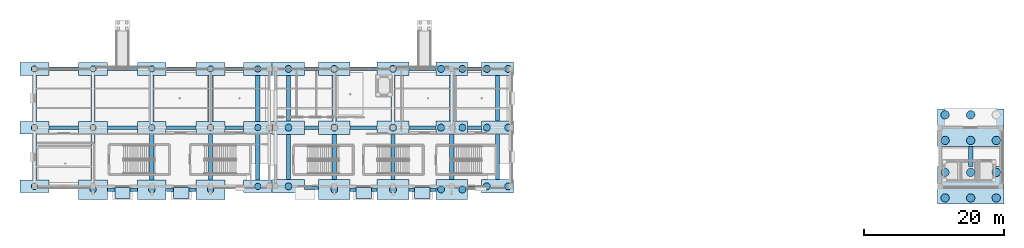
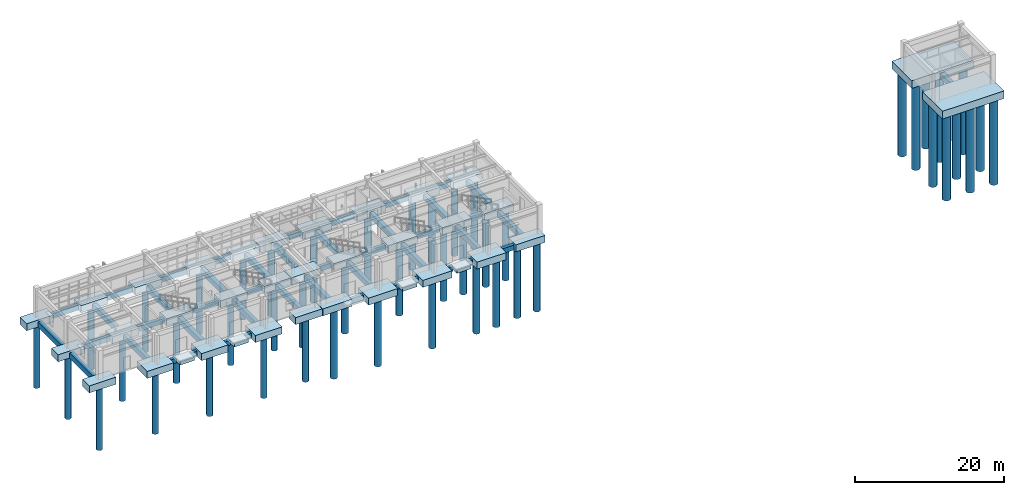
# One storey, part 1 of 29: 83 footings, 47 piles.
"""IFC4 building model written with IfcOpenShell, lengths in metres."""

import ifcopenshell
import ifcopenshell.guid

model = None  # the IFC model being written
_history = None  # IfcOwnerHistory: only IFC2X3 demands one
_inside = {}  # id of a spatial element -> (the spatial element, [elements in it])
_under = {}  # id of a project, library or spatial element -> (it, [spatial elements below it])
_declared = {}  # id of a project -> (the project, [libraries it declares])
_typed = {}  # id of a type object -> (the type object, [elements of that type])
_made_of = {}  # id of a material, layer set ... -> (it, [elements and type objects made of it])


def new_model(schema):
    """Start an empty IFC model of exactly this schema.

    Asked for "IFC4X3", IfcOpenShell would pick the latest addendum, in which some entities
    have other attributes; the version numbers below select the first issue.
    IFC2X3 requires an IfcOwnerHistory on every rooted entity: one is made here for all.
    """
    global model, _history
    if schema == "IFC4X3":
        model = ifcopenshell.file(schema_version=(4, 3, 0, 0))
    else:
        model = ifcopenshell.file(schema=schema)
    _inside.clear()
    _under.clear()
    _declared.clear()
    _typed.clear()
    _made_of.clear()
    _history = None
    if model.schema == "IFC2X3":
        org = make("IfcOrganization", Name="unknown")
        user = make(
            "IfcPersonAndOrganization",
            ThePerson=make("IfcPerson", FamilyName="unknown"),
            TheOrganization=org,
        )
        app = make(
            "IfcApplication",
            ApplicationDeveloper=org,
            Version="unknown",
            ApplicationFullName="unknown",
            ApplicationIdentifier="unknown",
        )
        _history = make(
            "IfcOwnerHistory",
            OwningUser=user,
            OwningApplication=app,
            ChangeAction="ADDED",
            CreationDate=0,
        )
    return model


def make(cls, **values):
    """One entity of the class cls with the attributes given. An attribute that is None is left unset."""
    return model.create_entity(
        cls, **{name: value for name, value in values.items() if value is not None}
    )


def rooted(cls, **values):
    """An entity with a GlobalId (a new one), such as an element, a storey or a relation."""
    return make(cls, GlobalId=ifcopenshell.guid.new(), OwnerHistory=_history, **values)


def si_unit(unit_type, name, prefix=None):
    """IfcSIUnit, for example si_unit("LENGTHUNIT", "METRE", prefix="MILLI")."""
    return make("IfcSIUnit", UnitType=unit_type, Prefix=prefix, Name=name)


def assignment(units):
    """IfcUnitAssignment: the units of a project."""
    return None if units is None else make("IfcUnitAssignment", Units=units)


def point(xyz):
    """IfcCartesianPoint."""
    return None if xyz is None else make("IfcCartesianPoint", Coordinates=xyz)


def direction(xyz):
    """IfcDirection."""
    return None if xyz is None else make("IfcDirection", DirectionRatios=xyz)


def frame(location, z_axis=None, x_axis=None):
    """IfcAxis2Placement3D, a coordinate frame: its origin and axes. An axis left out is left unset."""
    return make(
        "IfcAxis2Placement3D",
        Location=point(location),
        Axis=direction(z_axis),
        RefDirection=direction(x_axis),
    )


def frame_2d(location, x_axis=None):
    """IfcAxis2Placement2D, a coordinate frame in the plane: its origin and x axis."""
    return make(
        "IfcAxis2Placement2D", Location=point(location), RefDirection=direction(x_axis)
    )


def origin():
    """The frame at (0, 0, 0) with its axes left unset."""
    return frame((0.0, 0.0, 0.0))


def origin_2d():
    """The frame at (0, 0) in the plane with its x axis left unset."""
    return frame_2d((0.0, 0.0))


def place(relative_to, where):
    """IfcLocalPlacement: puts the frame where relative to a parent placement (None: the world)."""
    return make(
        "IfcLocalPlacement", PlacementRelTo=relative_to, RelativePlacement=where
    )


def context(
    kind, dimensions, precision=None, world=None, true_north=None, identifier=None
):
    """IfcGeometricRepresentationContext, for example the 3D "Model" context."""
    return make(
        "IfcGeometricRepresentationContext",
        ContextIdentifier=identifier,
        ContextType=kind,
        CoordinateSpaceDimension=dimensions,
        Precision=precision,
        WorldCoordinateSystem=world,
        TrueNorth=true_north,
    )


def subcontext(parent, identifier, kind, view, scale=None):
    """IfcGeometricRepresentationSubContext, for example "Body" below "Model"."""
    return make(
        "IfcGeometricRepresentationSubContext",
        ContextIdentifier=identifier,
        ContextType=kind,
        ParentContext=parent,
        TargetScale=scale,
        TargetView=view,
    )


def project(units=None, contexts=None):
    """IfcProject with its units and contexts."""
    return rooted(
        "IfcProject",
        Name="project",
        RepresentationContexts=contexts,
        UnitsInContext=assignment(units),
    )


def spatial(cls, under=None, at=None, **own):
    """A site, building, storey or space (cls), placed at a placement, below another one or the project."""
    s = rooted(cls, ObjectPlacement=at, **own)
    if under is not None:
        _under.setdefault(under.id(), (under, []))[1].append(s)
    return s


def profile(cls, at=None, kind="AREA", **sizes):
    """A parametric profile (cls). Its sizes go by their IFC names, for example OverallWidth=200.0."""
    return make(cls, ProfileType=kind, Position=at, **sizes)


def rectangle(**sizes):
    """IfcRectangleProfileDef."""
    return profile("IfcRectangleProfileDef", **sizes)


def circle(**sizes):
    """IfcCircleProfileDef."""
    return profile("IfcCircleProfileDef", **sizes)


def extrude(swept, where, along, depth):
    """IfcExtrudedAreaSolid: the profile swept, set in the frame where, extruded along a direction by depth."""
    return make(
        "IfcExtrudedAreaSolid",
        SweptArea=swept,
        Position=where,
        ExtrudedDirection=direction(along),
        Depth=depth,
    )


def shape(context_of_items, identifier, shape_type, items):
    """IfcShapeRepresentation: the items that make up one representation, for example the "Body"."""
    return make(
        "IfcShapeRepresentation",
        ContextOfItems=context_of_items,
        RepresentationIdentifier=identifier,
        RepresentationType=shape_type,
        Items=items,
    )


def material(Name=None, Category=None):
    """IfcMaterial."""
    return make("IfcMaterial", Name=Name, Category=Category)


def material_profile(
    of_material, cross_section, Name=None, Category=None, Priority=None
):
    """IfcMaterialProfile: a cross section and its material."""
    return make(
        "IfcMaterialProfile",
        Name=Name,
        Material=of_material,
        Profile=cross_section,
        Priority=Priority,
        Category=Category,
    )


def profile_set(profiles, Name=None, composite=None):
    """IfcMaterialProfileSet."""
    return make(
        "IfcMaterialProfileSet",
        Name=Name,
        MaterialProfiles=profiles,
        CompositeProfile=composite,
    )


def made_of(thing, what):
    """Note that an element or type object is made of a material, layer set ...; save() writes the relation."""
    if what is not None:
        _made_of.setdefault(what.id(), (what, []))[1].append(thing)
    return thing


def type_object(cls, material=None, **own):
    """A type object (cls), such as IfcWallType, which elements share."""
    return made_of(rooted(cls, **own), material)


def element(
    cls,
    number,
    at=None,
    inside=None,
    cuts=None,
    type_object=None,
    material=None,
    context=None,
    identifier="Body",
    shape_type=None,
    held_by="IfcProductDefinitionShape",
    body=None,
    shapes=None,
    **own,
):
    """One element of the class cls, such as IfcWall. Its Tag is "e" and its number.

    at: its placement. inside: the storey or other place that contains it. cuts: it is an
    opening in that element (IfcRelVoidsElement). A single representation is given by context,
    identifier, shape_type and body (its items); several are given by shapes. held_by: the class
    of the entity that holds the representations. save() writes the other relations.
    """
    e = rooted(cls, Tag="e%d" % number, ObjectPlacement=at, **own)
    if body is not None:
        shapes = [shape(context, identifier, shape_type, body)]
    if shapes is not None:
        e.Representation = make(held_by, Representations=shapes)
    if inside is not None:
        _inside.setdefault(inside.id(), (inside, []))[1].append(e)
    if cuts is not None:
        rooted(
            "IfcRelVoidsElement", RelatingBuildingElement=cuts, RelatedOpeningElement=e
        )
    if type_object is not None:
        _typed.setdefault(type_object.id(), (type_object, []))[1].append(e)
    return made_of(e, material)


def aggregate(whole, parts):
    """IfcRelAggregates: a whole, such as a stair, and the parts it consists of."""
    return rooted("IfcRelAggregates", RelatingObject=whole, RelatedObjects=parts)


def save(model, path):
    """Write the relations noted so far, then the file.

    IfcRelAggregates (storeys below a building ...), IfcRelContainedInSpatialStructure (elements
    in a storey), IfcRelDefinesByType, IfcRelAssociatesMaterial and IfcRelDeclares: one each for
    every whole, place, type object, material and project.
    """
    for whole, parts in _under.values():
        aggregate(whole, parts)
    for where, things in _inside.values():
        rooted(
            "IfcRelContainedInSpatialStructure",
            RelatedElements=things,
            RelatingStructure=where,
        )
    for kind, things in _typed.values():
        rooted("IfcRelDefinesByType", RelatedObjects=things, RelatingType=kind)
    for what, things in _made_of.values():
        rooted("IfcRelAssociatesMaterial", RelatedObjects=things, RelatingMaterial=what)
    for by, libraries in _declared.values():
        rooted("IfcRelDeclares", RelatingContext=by, RelatedDefinitions=libraries)
    model.write(path)


model = new_model("IFC4")

# Units and contexts
model_context = context("Model", 3, precision=1e-05, world=origin(), true_north=direction((0.0, 1.0)))
body_context = subcontext(model_context, "Body", "Model", "MODEL_VIEW")
ifc_project = project(units=[si_unit("LENGTHUNIT", "METRE"), si_unit("AREAUNIT", "SQUARE_METRE"), si_unit("VOLUMEUNIT", "CUBIC_METRE"), si_unit("PLANEANGLEUNIT", "RADIAN"), si_unit("MASSUNIT", "GRAM", prefix="KILO")], contexts=[model_context])

# Site, building, storey
site_placement = place(None, origin())
site = spatial("IfcSite", under=ifc_project, at=site_placement, CompositionType="ELEMENT")
building_placement = place(site_placement, origin())
building = spatial("IfcBuilding", under=site, at=building_placement, Name="Canglan Escarpment Cableway Terminal", CompositionType="ELEMENT")
storey_placement = place(building_placement, origin())
storey = spatial("IfcBuildingStorey", under=building, at=storey_placement, Name="L00", CompositionType="ELEMENT", Elevation=0.0)

# Footings
ifc_material = material(Name="Concrete C40", Category="concrete")
ifc_material_profile_1 = material_profile(ifc_material, rectangle(XDim=0.5, YDim=0.800048828125, at=origin_2d()), Name="FB 500x800")
ifc_profile_set_1 = profile_set([ifc_material_profile_1], Name="Concrete C40")
footing_type_1 = type_object("IfcFootingType", Name="FTG-BEAM-500x800", PredefinedType="FOOTING_BEAM", material=ifc_profile_set_1)
for number, where, z_axis, x_axis, name in (
    (1, (10.06396484375, 16.39990234375, -0.699951171875), (1.0, 0.0, 0.0), (0.0, 1.0, 0.0), "Reinforced concrete ground tie beam FB-01"),
    (2, (10.06396484375, 24.800048828125, -0.699951171875), (1.0, 0.0, 0.0), (0.0, 1.0, 0.0), "Reinforced concrete ground tie beam FB-01"),
):
    element("IfcFooting", number, at=place(storey_placement, frame(where, z_axis=z_axis, x_axis=x_axis)), inside=storey, type_object=footing_type_1, Name=name, PredefinedType="FOOTING_BEAM", context=body_context, shape_type="SweptSolid", body=[
        extrude(rectangle(XDim=0.5, YDim=0.800048828125, at=origin_2d()), origin(), (0.0, 0.0, 1.0), 4.27197265625),
    ])
footing_1_placement = place(storey_placement, frame((18.464111328125, 7.514892578125, -0.699951171875), z_axis=(1.0, 0.0, 0.0), x_axis=(0.0, 1.0, 0.0)))
element("IfcFooting", 3, at=footing_1_placement, inside=storey, type_object=footing_type_1, Name="Reinforced concrete ground tie beam FB-01", PredefinedType="FOOTING_BEAM", context=body_context, shape_type="SweptSolid", body=[
    extrude(rectangle(XDim=0.5, YDim=0.800048828125, at=origin_2d()), origin(), (0.0, 0.0, 1.0), 1.033935546875),
])
footing_2_placement = place(storey_placement, frame((21.701904296875, 7.514892578125, -0.699951171875), z_axis=(1.0, 0.0, 0.0), x_axis=(0.0, 1.0, 0.0)))
element("IfcFooting", 4, at=footing_2_placement, inside=storey, type_object=footing_type_1, Name="Reinforced concrete ground tie beam FB-01", PredefinedType="FOOTING_BEAM", context=body_context, shape_type="SweptSolid", body=[
    extrude(rectangle(XDim=0.5, YDim=0.800048828125, at=origin_2d()), origin(), (0.0, 0.0, 1.0), 1.0341796875),
])
for number, where, z_axis, x_axis, name in (
    (5, (18.464111328125, 16.39990234375, -0.699951171875), (1.0, 0.0, 0.0), (0.0, 1.0, 0.0), "Reinforced concrete ground tie beam FB-01"),
    (6, (18.464111328125, 24.800048828125, -0.699951171875), (1.0, 0.0, 0.0), (0.0, 1.0, 0.0), "Reinforced concrete ground tie beam FB-01"),
):
    element("IfcFooting", number, at=place(storey_placement, frame(where, z_axis=z_axis, x_axis=x_axis)), inside=storey, type_object=footing_type_1, Name=name, PredefinedType="FOOTING_BEAM", context=body_context, shape_type="SweptSolid", body=[
        extrude(rectangle(XDim=0.5, YDim=0.800048828125, at=origin_2d()), origin(), (0.0, 0.0, 1.0), 4.27197265625),
    ])
for number, where, z_axis, x_axis, name in (
    (7, (26.864013671875, 7.514892578125, -0.699951171875), (1.0, 0.0, 0.0), (0.0, 1.0, 0.0), "Reinforced concrete ground tie beam FB-01"),
    (8, (30.10205078125, 7.514892578125, -0.699951171875), (1.0, 0.0, 0.0), (0.0, 1.0, 0.0), "Reinforced concrete ground tie beam FB-01"),
):
    element("IfcFooting", number, at=place(storey_placement, frame(where, z_axis=z_axis, x_axis=x_axis)), inside=storey, type_object=footing_type_1, Name=name, PredefinedType="FOOTING_BEAM", context=body_context, shape_type="SweptSolid", body=[
        extrude(rectangle(XDim=0.5, YDim=0.800048828125, at=origin_2d()), origin(), (0.0, 0.0, 1.0), 1.033935546875),
    ])
for number, where, z_axis, x_axis, name in (
    (9, (26.864013671875, 16.39990234375, -0.699951171875), (1.0, 0.0, 0.0), (0.0, 1.0, 0.0), "Reinforced concrete ground tie beam FB-01"),
    (10, (26.864013671875, 24.800048828125, -0.699951171875), (1.0, 0.0, 0.0), (0.0, 1.0, 0.0), "Reinforced concrete ground tie beam FB-01"),
):
    element("IfcFooting", number, at=place(storey_placement, frame(where, z_axis=z_axis, x_axis=x_axis)), inside=storey, type_object=footing_type_1, Name=name, PredefinedType="FOOTING_BEAM", context=body_context, shape_type="SweptSolid", body=[
        extrude(rectangle(XDim=0.5, YDim=0.800048828125, at=origin_2d()), origin(), (0.0, 0.0, 1.0), 4.27197265625),
    ])
for number, where, z_axis, x_axis, name in (
    (11, (35.263916015625, 16.39990234375, -0.699951171875), (1.0, 0.0, 0.0), (0.0, 1.0, 0.0), "Reinforced concrete ground tie beam FB-01"),
    (12, (35.263916015625, 24.800048828125, -0.699951171875), (1.0, 0.0, 0.0), (0.0, 1.0, 0.0), "Reinforced concrete ground tie beam FB-01"),
):
    element("IfcFooting", number, at=place(storey_placement, frame(where, z_axis=z_axis, x_axis=x_axis)), inside=storey, type_object=footing_type_1, Name=name, PredefinedType="FOOTING_BEAM", context=body_context, shape_type="SweptSolid", body=[
        extrude(rectangle(XDim=0.5, YDim=0.800048828125, at=origin_2d()), origin(), (0.0, 0.0, 1.0), 2.630126953125),
    ])
for number, where, z_axis, x_axis, name in (
    (13, (46.612060546875, 7.7763671875, -0.699951171875), (1.0, 0.0, 0.0), (0.0, 1.0, 0.0), "Reinforced concrete ground tie beam FB-01"),
    (14, (46.612060546875, 16.39990234375, -0.699951171875), (1.0, 0.0, 0.0), (0.0, 1.0, 0.0), "Reinforced concrete ground tie beam FB-01"),
    (15, (46.612060546875, 24.800048828125, -0.699951171875), (1.0, 0.0, 0.0), (0.0, 1.0, 0.0), "Reinforced concrete ground tie beam FB-01"),
):
    element("IfcFooting", number, at=place(storey_placement, frame(where, z_axis=z_axis, x_axis=x_axis)), inside=storey, type_object=footing_type_1, Name=name, PredefinedType="FOOTING_BEAM", context=body_context, shape_type="SweptSolid", body=[
        extrude(rectangle(XDim=0.5, YDim=0.800048828125, at=origin_2d()), origin(), (0.0, 0.0, 1.0), 2.02099609375),
    ])
for number, where, z_axis, x_axis, name in (
    (16, (53.1669921875, 7.5400390625, -0.699951171875), (1.0, 0.0, 0.0), (0.0, 1.0, 0.0), "Reinforced concrete ground tie beam FB-01"),
    (17, (56.201904296875, 7.5400390625, -0.699951171875), (1.0, 0.0, 0.0), (0.0, 1.0, 0.0), "Reinforced concrete ground tie beam FB-01"),
):
    element("IfcFooting", number, at=place(storey_placement, frame(where, z_axis=z_axis, x_axis=x_axis)), inside=storey, type_object=footing_type_1, Name=name, PredefinedType="FOOTING_BEAM", context=body_context, shape_type="SweptSolid", body=[
        extrude(rectangle(XDim=0.5, YDim=0.800048828125, at=origin_2d()), origin(), (0.0, 0.0, 1.0), 0.8310546875),
    ])
for number, where, z_axis, x_axis, name in (
    (18, (53.1669921875, 16.39990234375, -0.699951171875), (1.0, 0.0, 0.0), (0.0, 1.0, 0.0), "Reinforced concrete ground tie beam FB-01"),
    (19, (53.1669921875, 24.800048828125, -0.699951171875), (1.0, 0.0, 0.0), (0.0, 1.0, 0.0), "Reinforced concrete ground tie beam FB-01"),
):
    element("IfcFooting", number, at=place(storey_placement, frame(where, z_axis=z_axis, x_axis=x_axis)), inside=storey, type_object=footing_type_1, Name=name, PredefinedType="FOOTING_BEAM", context=body_context, shape_type="SweptSolid", body=[
        extrude(rectangle(XDim=0.5, YDim=0.800048828125, at=origin_2d()), origin(), (0.0, 0.0, 1.0), 3.865966796875),
    ])
for number, where, z_axis, x_axis, name in (
    (20, (61.56689453125, 7.5400390625, -0.699951171875), (1.0, 0.0, 0.0), (0.0, 1.0, 0.0), "Reinforced concrete ground tie beam FB-01"),
    (21, (64.60205078125, 7.5400390625, -0.699951171875), (1.0, 0.0, 0.0), (0.0, 1.0, 0.0), "Reinforced concrete ground tie beam FB-01"),
):
    element("IfcFooting", number, at=place(storey_placement, frame(where, z_axis=z_axis, x_axis=x_axis)), inside=storey, type_object=footing_type_1, Name=name, PredefinedType="FOOTING_BEAM", context=body_context, shape_type="SweptSolid", body=[
        extrude(rectangle(XDim=0.5, YDim=0.800048828125, at=origin_2d()), origin(), (0.0, 0.0, 1.0), 0.8310546875),
    ])
for number, where, z_axis, x_axis, name in (
    (22, (61.56689453125, 16.39990234375, -0.699951171875), (1.0, 0.0, 0.0), (0.0, 1.0, 0.0), "Reinforced concrete ground tie beam FB-01"),
    (23, (61.56689453125, 24.800048828125, -0.699951171875), (1.0, 0.0, 0.0), (0.0, 1.0, 0.0), "Reinforced concrete ground tie beam FB-01"),
):
    element("IfcFooting", number, at=place(storey_placement, frame(where, z_axis=z_axis, x_axis=x_axis)), inside=storey, type_object=footing_type_1, Name=name, PredefinedType="FOOTING_BEAM", context=body_context, shape_type="SweptSolid", body=[
        extrude(rectangle(XDim=0.5, YDim=0.800048828125, at=origin_2d()), origin(), (0.0, 0.0, 1.0), 3.8662109375),
    ])
for number, where, z_axis, x_axis, name in (
    (24, (69.967041015625, 7.7763671875, -0.699951171875), (1.0, 0.0, 0.0), (0.0, 1.0, 0.0), "Reinforced concrete ground tie beam FB-01"),
    (25, (69.967041015625, 16.39990234375, -0.699951171875), (1.0, 0.0, 0.0), (0.0, 1.0, 0.0), "Reinforced concrete ground tie beam FB-01"),
    (26, (69.967041015625, 24.800048828125, -0.699951171875), (1.0, 0.0, 0.0), (0.0, 1.0, 0.0), "Reinforced concrete ground tie beam FB-01"),
):
    element("IfcFooting", number, at=place(storey_placement, frame(where, z_axis=z_axis, x_axis=x_axis)), inside=storey, type_object=footing_type_1, Name=name, PredefinedType="FOOTING_BEAM", context=body_context, shape_type="SweptSolid", body=[
        extrude(rectangle(XDim=0.5, YDim=0.800048828125, at=origin_2d()), origin(), (0.0, 0.0, 1.0), 2.02099609375),
    ])
ifc_material_profile_2 = material_profile(ifc_material, rectangle(XDim=0.60009765625, YDim=0.89990234375, at=origin_2d()), Name="FB 600x900")
ifc_profile_set_2 = profile_set([ifc_material_profile_2], Name="Concrete C40")
footing_type_2 = type_object("IfcFootingType", Name="FTG-BEAM-600x900", PredefinedType="FOOTING_BEAM", material=ifc_profile_set_2)
for number, where, z_axis, x_axis, name in (
    (27, (8.0, 8.912109375, -0.75), (0.0, 1.0, 0.0), (-1.0, 0.0, 0.0), "Reinforced concrete ground tie beam FB-02"),
    (28, (8.0, 17.31201171875, -0.75), (0.0, 1.0, 0.0), (-1.0, 0.0, 0.0), "Reinforced concrete ground tie beam FB-02"),
    (29, (16.39990234375, 8.912109375, -0.75), (0.0, 1.0, 0.0), (-1.0, 0.0, 0.0), "Reinforced concrete ground tie beam FB-02"),
    (30, (16.39990234375, 17.31201171875, -0.75), (0.0, 1.0, 0.0), (-1.0, 0.0, 0.0), "Reinforced concrete ground tie beam FB-02"),
    (31, (24.800048828125, 8.912109375, -0.75), (0.0, 1.0, 0.0), (-1.0, 0.0, 0.0), "Reinforced concrete ground tie beam FB-02"),
    (32, (24.800048828125, 17.31201171875, -0.75), (0.0, 1.0, 0.0), (-1.0, 0.0, 0.0), "Reinforced concrete ground tie beam FB-02"),
    (33, (33.199951171875, 8.912109375, -0.75), (0.0, 1.0, 0.0), (-1.0, 0.0, 0.0), "Reinforced concrete ground tie beam FB-02"),
    (34, (33.199951171875, 17.31201171875, -0.75), (0.0, 1.0, 0.0), (-1.0, 0.0, 0.0), "Reinforced concrete ground tie beam FB-02"),
    (35, (39.9580078125, 8.912109375, -0.75), (0.0, 1.0, 0.0), (-1.0, 0.0, 0.0), "Reinforced concrete ground tie beam FB-02"),
    (36, (39.9580078125, 17.31201171875, -0.75), (0.0, 1.0, 0.0), (-1.0, 0.0, 0.0), "Reinforced concrete ground tie beam FB-02"),
):
    element("IfcFooting", number, at=place(storey_placement, frame(where, z_axis=z_axis, x_axis=x_axis)), inside=storey, type_object=footing_type_2, Name=name, PredefinedType="FOOTING_BEAM", context=body_context, shape_type="SweptSolid", body=[
        extrude(rectangle(XDim=0.60009765625, YDim=0.89990234375, at=origin_2d()), origin(), (0.0, 0.0, 1.0), 6.575927734375),
    ])
footing_3_placement = place(storey_placement, frame((44.344970703125, 8.9619140625, -0.75), z_axis=(0.0, 1.0, 0.0), x_axis=(-1.0, 0.0, 0.0)))
element("IfcFooting", 37, at=footing_3_placement, inside=storey, type_object=footing_type_2, Name="Reinforced concrete ground tie beam FB-02", PredefinedType="FOOTING_BEAM", context=body_context, shape_type="SweptSolid", body=[
    extrude(rectangle(XDim=0.60009765625, YDim=0.89990234375, at=origin_2d()), origin(), (0.0, 0.0, 1.0), 6.47607421875),
])
footing_4_placement = place(storey_placement, frame((44.344970703125, 17.362060546875, -0.75), z_axis=(0.0, 1.0, 0.0), x_axis=(-1.0, 0.0, 0.0)))
element("IfcFooting", 38, at=footing_4_placement, inside=storey, type_object=footing_type_2, Name="Reinforced concrete ground tie beam FB-02", PredefinedType="FOOTING_BEAM", context=body_context, shape_type="SweptSolid", body=[
    extrude(rectangle(XDim=0.60009765625, YDim=0.89990234375, at=origin_2d()), origin(), (0.0, 0.0, 1.0), 6.475830078125),
])
footing_5_placement = place(storey_placement, frame((50.89990234375, 8.9619140625, -0.75), z_axis=(0.0, 1.0, 0.0), x_axis=(-1.0, 0.0, 0.0)))
element("IfcFooting", 39, at=footing_5_placement, inside=storey, type_object=footing_type_2, Name="Reinforced concrete ground tie beam FB-02", PredefinedType="FOOTING_BEAM", context=body_context, shape_type="SweptSolid", body=[
    extrude(rectangle(XDim=0.60009765625, YDim=0.89990234375, at=origin_2d()), origin(), (0.0, 0.0, 1.0), 6.47607421875),
])
footing_6_placement = place(storey_placement, frame((50.89990234375, 17.362060546875, -0.75), z_axis=(0.0, 1.0, 0.0), x_axis=(-1.0, 0.0, 0.0)))
element("IfcFooting", 40, at=footing_6_placement, inside=storey, type_object=footing_type_2, Name="Reinforced concrete ground tie beam FB-02", PredefinedType="FOOTING_BEAM", context=body_context, shape_type="SweptSolid", body=[
    extrude(rectangle(XDim=0.60009765625, YDim=0.89990234375, at=origin_2d()), origin(), (0.0, 0.0, 1.0), 6.475830078125),
])
footing_7_placement = place(storey_placement, frame((59.300048828125, 8.9619140625, -0.75), z_axis=(0.0, 1.0, 0.0), x_axis=(-1.0, 0.0, 0.0)))
element("IfcFooting", 41, at=footing_7_placement, inside=storey, type_object=footing_type_2, Name="Reinforced concrete ground tie beam FB-02", PredefinedType="FOOTING_BEAM", context=body_context, shape_type="SweptSolid", body=[
    extrude(rectangle(XDim=0.60009765625, YDim=0.89990234375, at=origin_2d()), origin(), (0.0, 0.0, 1.0), 6.47607421875),
])
footing_8_placement = place(storey_placement, frame((59.300048828125, 17.362060546875, -0.75), z_axis=(0.0, 1.0, 0.0), x_axis=(-1.0, 0.0, 0.0)))
element("IfcFooting", 42, at=footing_8_placement, inside=storey, type_object=footing_type_2, Name="Reinforced concrete ground tie beam FB-02", PredefinedType="FOOTING_BEAM", context=body_context, shape_type="SweptSolid", body=[
    extrude(rectangle(XDim=0.60009765625, YDim=0.89990234375, at=origin_2d()), origin(), (0.0, 0.0, 1.0), 6.475830078125),
])
footing_9_placement = place(storey_placement, frame((67.699951171875, 8.9619140625, -0.75), z_axis=(0.0, 1.0, 0.0), x_axis=(-1.0, 0.0, 0.0)))
element("IfcFooting", 43, at=footing_9_placement, inside=storey, type_object=footing_type_2, Name="Reinforced concrete ground tie beam FB-02", PredefinedType="FOOTING_BEAM", context=body_context, shape_type="SweptSolid", body=[
    extrude(rectangle(XDim=0.60009765625, YDim=0.89990234375, at=origin_2d()), origin(), (0.0, 0.0, 1.0), 6.47607421875),
])
footing_10_placement = place(storey_placement, frame((67.699951171875, 17.362060546875, -0.75), z_axis=(0.0, 1.0, 0.0), x_axis=(-1.0, 0.0, 0.0)))
element("IfcFooting", 44, at=footing_10_placement, inside=storey, type_object=footing_type_2, Name="Reinforced concrete ground tie beam FB-02", PredefinedType="FOOTING_BEAM", context=body_context, shape_type="SweptSolid", body=[
    extrude(rectangle(XDim=0.60009765625, YDim=0.89990234375, at=origin_2d()), origin(), (0.0, 0.0, 1.0), 6.475830078125),
])
footing_11_placement = place(storey_placement, frame((74.2548828125, 8.9619140625, -0.75), z_axis=(0.0, 1.0, 0.0), x_axis=(-1.0, 0.0, 0.0)))
element("IfcFooting", 45, at=footing_11_placement, inside=storey, type_object=footing_type_2, Name="Reinforced concrete ground tie beam FB-02", PredefinedType="FOOTING_BEAM", context=body_context, shape_type="SweptSolid", body=[
    extrude(rectangle(XDim=0.60009765625, YDim=0.89990234375, at=origin_2d()), origin(), (0.0, 0.0, 1.0), 6.47607421875),
])
footing_12_placement = place(storey_placement, frame((74.2548828125, 17.362060546875, -0.75), z_axis=(0.0, 1.0, 0.0), x_axis=(-1.0, 0.0, 0.0)))
element("IfcFooting", 46, at=footing_12_placement, inside=storey, type_object=footing_type_2, Name="Reinforced concrete ground tie beam FB-02", PredefinedType="FOOTING_BEAM", context=body_context, shape_type="SweptSolid", body=[
    extrude(rectangle(XDim=0.60009765625, YDim=0.89990234375, at=origin_2d()), origin(), (0.0, 0.0, 1.0), 6.475830078125),
])
footing_13_placement = place(storey_placement, frame((141.949951171875, 10.842041015625, -0.75), z_axis=(0.0, 1.0, 0.0), x_axis=(-1.0, 0.0, 0.0)))
element("IfcFooting", 47, at=footing_13_placement, inside=storey, type_object=footing_type_2, Name="Reinforced concrete ground tie beam FB-02", PredefinedType="FOOTING_BEAM", context=body_context, shape_type="SweptSolid", body=[
    extrude(rectangle(XDim=0.60009765625, YDim=0.89990234375, at=origin_2d()), origin(), (0.0, 0.0, 1.0), 2.885986328125),
])
footing_type_3 = type_object("IfcFootingType", Name="FTG-CAP-4124x1820x1150", PredefinedType="PILE_CAP", material=ifc_material)
for number, where, z_axis, x_axis, name in (
    (48, (8.0, 8.0, -1.14990234375), (0.0, 0.0, 1.0), (1.0, 0.0, 0.0), "Reinforced concrete pile cap PC-01"),
    (49, (8.0, 16.39990234375, -1.14990234375), (0.0, 0.0, 1.0), (1.0, 0.0, 0.0), "Reinforced concrete pile cap PC-01"),
    (50, (8.0, 24.800048828125, -1.14990234375), (0.0, 0.0, 1.0), (1.0, 0.0, 0.0), "Reinforced concrete pile cap PC-01"),
    (51, (16.39990234375, 16.39990234375, -1.14990234375), (0.0, 0.0, 1.0), (1.0, 0.0, 0.0), "Reinforced concrete pile cap PC-01"),
    (52, (16.39990234375, 24.800048828125, -1.14990234375), (0.0, 0.0, 1.0), (1.0, 0.0, 0.0), "Reinforced concrete pile cap PC-01"),
    (53, (24.800048828125, 16.39990234375, -1.14990234375), (0.0, 0.0, 1.0), (1.0, 0.0, 0.0), "Reinforced concrete pile cap PC-01"),
    (54, (24.800048828125, 24.800048828125, -1.14990234375), (0.0, 0.0, 1.0), (1.0, 0.0, 0.0), "Reinforced concrete pile cap PC-01"),
    (55, (33.199951171875, 16.39990234375, -1.14990234375), (0.0, 0.0, 1.0), (1.0, 0.0, 0.0), "Reinforced concrete pile cap PC-01"),
    (56, (33.199951171875, 24.800048828125, -1.14990234375), (0.0, 0.0, 1.0), (1.0, 0.0, 0.0), "Reinforced concrete pile cap PC-01"),
    (57, (39.9580078125, 8.0, -1.14990234375), (0.0, 0.0, 1.0), (1.0, 0.0, 0.0), "Reinforced concrete pile cap PC-01"),
    (58, (39.9580078125, 16.39990234375, -1.14990234375), (0.0, 0.0, 1.0), (1.0, 0.0, 0.0), "Reinforced concrete pile cap PC-01"),
    (59, (39.9580078125, 24.800048828125, -1.14990234375), (0.0, 0.0, 1.0), (1.0, 0.0, 0.0), "Reinforced concrete pile cap PC-01"),
):
    element("IfcFooting", number, at=place(storey_placement, frame(where, z_axis=z_axis, x_axis=x_axis)), inside=storey, type_object=footing_type_3, Name=name, PredefinedType="PILE_CAP", context=body_context, shape_type="SweptSolid", body=[
        extrude(rectangle(XDim=4.1240234375, YDim=1.820068359375, at=origin_2d()), origin(), (0.0, 0.0, 1.0), 1.14990234375),
    ])
footing_type_4 = type_object("IfcFootingType", Name="FTG-CAP-4124x2765x1150", PredefinedType="PILE_CAP", material=ifc_material)
for number, where, z_axis, x_axis, name in (
    (60, (16.39990234375, 7.527587890625, -1.14990234375), (0.0, 0.0, 1.0), (1.0, 0.0, 0.0), "Reinforced concrete pile cap PC-02"),
    (61, (33.199951171875, 7.527587890625, -1.14990234375), (0.0, 0.0, 1.0), (1.0, 0.0, 0.0), "Reinforced concrete pile cap PC-02"),
):
    element("IfcFooting", number, at=place(storey_placement, frame(where, z_axis=z_axis, x_axis=x_axis)), inside=storey, type_object=footing_type_4, Name=name, PredefinedType="PILE_CAP", context=body_context, shape_type="SweptSolid", body=[
        extrude(rectangle(XDim=4.1240234375, YDim=2.764892578125, at=origin_2d()), origin(), (0.0, 0.0, 1.0), 1.14990234375),
    ])
footing_type_5 = type_object("IfcFootingType", Name="FTG-CAP-4124x2815x1150", PredefinedType="PILE_CAP", material=ifc_material)
footing_14_placement = place(storey_placement, frame((24.800048828125, 7.50244140625, -1.14990234375), z_axis=(0.0, 0.0, 1.0), x_axis=(1.0, 0.0, 0.0)))
element("IfcFooting", 62, at=footing_14_placement, inside=storey, type_object=footing_type_5, Name="Reinforced concrete pile cap PC-03", PredefinedType="PILE_CAP", context=body_context, shape_type="SweptSolid", body=[
    extrude(rectangle(XDim=4.1240234375, YDim=2.81494140625, at=origin_2d()), origin(), (0.0, 0.0, 1.0), 1.14990234375),
])
footing_type_6 = type_object("IfcFootingType", Name="FTG-CAP-4530x1920x1150", PredefinedType="PILE_CAP", material=ifc_material)
for number, where, z_axis, x_axis, name in (
    (63, (44.344970703125, 8.0, -1.14990234375), (0.0, 0.0, 1.0), (1.0, 0.0, 0.0), "Reinforced concrete pile cap PC-04"),
    (64, (44.344970703125, 16.39990234375, -1.14990234375), (0.0, 0.0, 1.0), (1.0, 0.0, 0.0), "Reinforced concrete pile cap PC-04"),
    (65, (44.344970703125, 24.800048828125, -1.14990234375), (0.0, 0.0, 1.0), (1.0, 0.0, 0.0), "Reinforced concrete pile cap PC-04"),
    (66, (50.89990234375, 16.39990234375, -1.14990234375), (0.0, 0.0, 1.0), (1.0, 0.0, 0.0), "Reinforced concrete pile cap PC-04"),
    (67, (50.89990234375, 24.800048828125, -1.14990234375), (0.0, 0.0, 1.0), (1.0, 0.0, 0.0), "Reinforced concrete pile cap PC-04"),
    (68, (59.300048828125, 16.39990234375, -1.14990234375), (0.0, 0.0, 1.0), (1.0, 0.0, 0.0), "Reinforced concrete pile cap PC-04"),
    (69, (59.300048828125, 24.800048828125, -1.14990234375), (0.0, 0.0, 1.0), (1.0, 0.0, 0.0), "Reinforced concrete pile cap PC-04"),
    (70, (67.699951171875, 16.39990234375, -1.14990234375), (0.0, 0.0, 1.0), (1.0, 0.0, 0.0), "Reinforced concrete pile cap PC-04"),
    (71, (67.699951171875, 24.800048828125, -1.14990234375), (0.0, 0.0, 1.0), (1.0, 0.0, 0.0), "Reinforced concrete pile cap PC-04"),
    (72, (74.2548828125, 8.0, -1.14990234375), (0.0, 0.0, 1.0), (1.0, 0.0, 0.0), "Reinforced concrete pile cap PC-04"),
    (73, (74.2548828125, 16.39990234375, -1.14990234375), (0.0, 0.0, 1.0), (1.0, 0.0, 0.0), "Reinforced concrete pile cap PC-04"),
    (74, (74.2548828125, 24.800048828125, -1.14990234375), (0.0, 0.0, 1.0), (1.0, 0.0, 0.0), "Reinforced concrete pile cap PC-04"),
):
    element("IfcFooting", number, at=place(storey_placement, frame(where, z_axis=z_axis, x_axis=x_axis)), inside=storey, type_object=footing_type_6, Name=name, PredefinedType="PILE_CAP", context=body_context, shape_type="SweptSolid", body=[
        extrude(rectangle(XDim=4.530029296875, YDim=1.919921875, at=origin_2d()), origin(), (0.0, 0.0, 1.0), 1.14990234375),
    ])
footing_type_7 = type_object("IfcFootingType", Name="FTG-CAP-4530x2815x1150", PredefinedType="PILE_CAP", material=ifc_material)
for number, where, z_axis, x_axis, name in (
    (75, (50.89990234375, 7.552490234375, -1.14990234375), (0.0, 0.0, 1.0), (1.0, 0.0, 0.0), "Reinforced concrete pile cap PC-05"),
    (76, (67.699951171875, 7.552490234375, -1.14990234375), (0.0, 0.0, 1.0), (1.0, 0.0, 0.0), "Reinforced concrete pile cap PC-05"),
):
    element("IfcFooting", number, at=place(storey_placement, frame(where, z_axis=z_axis, x_axis=x_axis)), inside=storey, type_object=footing_type_7, Name=name, PredefinedType="PILE_CAP", context=body_context, shape_type="SweptSolid", body=[
        extrude(rectangle(XDim=4.530029296875, YDim=2.81494140625, at=origin_2d()), origin(), (0.0, 0.0, 1.0), 1.14990234375),
    ])
footing_type_8 = type_object("IfcFootingType", Name="FTG-CAP-4530x2865x1150", PredefinedType="PILE_CAP", material=ifc_material)
footing_15_placement = place(storey_placement, frame((59.300048828125, 7.527587890625, -1.14990234375), z_axis=(0.0, 0.0, 1.0), x_axis=(1.0, 0.0, 0.0)))
element("IfcFooting", 77, at=footing_15_placement, inside=storey, type_object=footing_type_8, Name="Reinforced concrete pile cap PC-06", PredefinedType="PILE_CAP", context=body_context, shape_type="SweptSolid", body=[
    extrude(rectangle(XDim=4.530029296875, YDim=2.864990234375, at=origin_2d()), origin(), (0.0, 0.0, 1.0), 1.14990234375),
])
footing_type_9 = type_object("IfcFootingType", Name="FTG-CAP-9540x5340x1260", PredefinedType="PILE_CAP", material=ifc_material)
for number, where, z_axis, x_axis, name in (
    (78, (141.949951171875, 8.169921875, -1.259765625), (0.0, 0.0, 1.0), (1.0, 0.0, 0.0), "Reinforced concrete pile cap PC-08"),
    (79, (141.949951171875, 16.39990234375, -1.259765625), (0.0, 0.0, 1.0), (1.0, 0.0, 0.0), "Reinforced concrete pile cap PC-08"),
):
    element("IfcFooting", number, at=place(storey_placement, frame(where, z_axis=z_axis, x_axis=x_axis)), inside=storey, type_object=footing_type_9, Name=name, PredefinedType="PILE_CAP", context=body_context, shape_type="SweptSolid", body=[
        extrude(rectangle(XDim=9.5400390625, YDim=5.340087890625, at=origin_2d()), origin(), (0.0, 0.0, 1.0), 1.260009765625),
    ])
footing_type_10 = type_object("IfcFootingType", Name="FTG-PAD-2200x1600x550", PredefinedType="PAD_FOOTING", material=ifc_material)
for number, where, z_axis, x_axis, name in (
    (80, (20.60009765625, 7.050048828125, -0.830078125), (0.0, 0.0, 1.0), (1.0, 0.0, 0.0), "Reinforced concrete auxiliary pad footing PF-15"),
    (81, (29.0, 7.050048828125, -0.830078125), (0.0, 0.0, 1.0), (1.0, 0.0, 0.0), "Reinforced concrete auxiliary pad footing PF-15"),
    (82, (55.10009765625, 7.050048828125, -0.830078125), (0.0, 0.0, 1.0), (1.0, 0.0, 0.0), "Reinforced concrete auxiliary pad footing PF-15"),
    (83, (63.5, 7.050048828125, -0.830078125), (0.0, 0.0, 1.0), (1.0, 0.0, 0.0), "Reinforced concrete auxiliary pad footing PF-15"),
):
    element("IfcFooting", number, at=place(storey_placement, frame(where, z_axis=z_axis, x_axis=x_axis)), inside=storey, type_object=footing_type_10, Name=name, PredefinedType="PAD_FOOTING", context=body_context, shape_type="SweptSolid", body=[
        extrude(rectangle(XDim=2.199951171875, YDim=1.60009765625, at=origin_2d()), origin(), (0.0, 0.0, 1.0), 0.550048828125),
    ])

# Piles
ifc_material_profile_3 = material_profile(ifc_material, circle(Radius=0.5, at=origin_2d()), Name="BORED PILE D1000")
ifc_profile_set_3 = profile_set([ifc_material_profile_3], Name="Concrete C40")
pile_type_1 = type_object("IfcPileType", Name="PILE-D1000", PredefinedType="BORED", material=ifc_profile_set_3)
for number, where, z_axis, x_axis, name in (
    (84, (44.344970703125, 8.0, -1.050048828125), (0.0, 0.0, -1.0), (1.0, 0.0, 0.0), "Rock-socketed bored pile P-03"),
    (85, (44.344970703125, 16.39990234375, -1.050048828125), (0.0, 0.0, -1.0), (1.0, 0.0, 0.0), "Rock-socketed bored pile P-03"),
    (86, (44.344970703125, 24.800048828125, -1.050048828125), (0.0, 0.0, -1.0), (1.0, 0.0, 0.0), "Rock-socketed bored pile P-03"),
    (87, (50.89990234375, 7.552490234375, -1.050048828125), (0.0, 0.0, -1.0), (1.0, 0.0, 0.0), "Rock-socketed bored pile P-03"),
    (88, (50.89990234375, 16.39990234375, -1.050048828125), (0.0, 0.0, -1.0), (1.0, 0.0, 0.0), "Rock-socketed bored pile P-03"),
    (89, (50.89990234375, 24.800048828125, -1.050048828125), (0.0, 0.0, -1.0), (1.0, 0.0, 0.0), "Rock-socketed bored pile P-03"),
    (90, (59.300048828125, 7.527587890625, -1.050048828125), (0.0, 0.0, -1.0), (1.0, 0.0, 0.0), "Rock-socketed bored pile P-03"),
    (91, (59.300048828125, 16.39990234375, -1.050048828125), (0.0, 0.0, -1.0), (1.0, 0.0, 0.0), "Rock-socketed bored pile P-03"),
    (92, (59.300048828125, 24.800048828125, -1.050048828125), (0.0, 0.0, -1.0), (1.0, 0.0, 0.0), "Rock-socketed bored pile P-03"),
    (93, (66.175048828125, 7.552490234375, -1.050048828125), (0.0, 0.0, -1.0), (1.0, 0.0, 0.0), "Rock-socketed bored pile P-03"),
    (94, (69.22509765625, 7.552490234375, -1.050048828125), (0.0, 0.0, -1.0), (1.0, 0.0, 0.0), "Rock-socketed bored pile P-03"),
    (95, (66.175048828125, 16.39990234375, -1.050048828125), (0.0, 0.0, -1.0), (1.0, 0.0, 0.0), "Rock-socketed bored pile P-03"),
    (96, (69.22509765625, 16.39990234375, -1.050048828125), (0.0, 0.0, -1.0), (1.0, 0.0, 0.0), "Rock-socketed bored pile P-03"),
    (97, (66.175048828125, 24.800048828125, -1.050048828125), (0.0, 0.0, -1.0), (1.0, 0.0, 0.0), "Rock-socketed bored pile P-03"),
    (98, (69.22509765625, 24.800048828125, -1.050048828125), (0.0, 0.0, -1.0), (1.0, 0.0, 0.0), "Rock-socketed bored pile P-03"),
    (99, (72.72998046875, 8.0, -1.050048828125), (0.0, 0.0, -1.0), (1.0, 0.0, 0.0), "Rock-socketed bored pile P-03"),
    (100, (75.780029296875, 8.0, -1.050048828125), (0.0, 0.0, -1.0), (1.0, 0.0, 0.0), "Rock-socketed bored pile P-03"),
    (101, (72.72998046875, 16.39990234375, -1.050048828125), (0.0, 0.0, -1.0), (1.0, 0.0, 0.0), "Rock-socketed bored pile P-03"),
    (102, (75.780029296875, 16.39990234375, -1.050048828125), (0.0, 0.0, -1.0), (1.0, 0.0, 0.0), "Rock-socketed bored pile P-03"),
    (103, (72.72998046875, 24.800048828125, -1.050048828125), (0.0, 0.0, -1.0), (1.0, 0.0, 0.0), "Rock-socketed bored pile P-03"),
    (104, (75.780029296875, 24.800048828125, -1.050048828125), (0.0, 0.0, -1.0), (1.0, 0.0, 0.0), "Rock-socketed bored pile P-03"),
):
    element("IfcPile", number, at=place(storey_placement, frame(where, z_axis=z_axis, x_axis=x_axis)), inside=storey, type_object=pile_type_1, Name=name, PredefinedType="BORED", context=body_context, shape_type="SweptSolid", body=[
        extrude(circle(Radius=0.5, at=origin_2d()), origin(), (0.0, 0.0, 1.0), 11.5),
    ])
ifc_material_profile_4 = material_profile(ifc_material, circle(Radius=0.60009765625, at=origin_2d()), Name="BORED PILE D1200")
ifc_profile_set_4 = profile_set([ifc_material_profile_4], Name="Concrete C40")
pile_type_2 = type_object("IfcPileType", Name="PILE-D1200", PredefinedType="BORED", material=ifc_profile_set_4)
for number, where, z_axis, x_axis, name in (
    (105, (138.2900390625, 6.340087890625, -1.159912109375), (0.0, 0.0, -1.0), (1.0, 0.0, 0.0), "Rock-socketed bored pile P-04"),
    (106, (138.2900390625, 10.0, -1.159912109375), (0.0, 0.0, -1.0), (1.0, 0.0, 0.0), "Rock-socketed bored pile P-04"),
    (107, (141.949951171875, 6.340087890625, -1.159912109375), (0.0, 0.0, -1.0), (1.0, 0.0, 0.0), "Rock-socketed bored pile P-04"),
    (108, (141.949951171875, 10.0, -1.159912109375), (0.0, 0.0, -1.0), (1.0, 0.0, 0.0), "Rock-socketed bored pile P-04"),
    (109, (145.610107421875, 6.340087890625, -1.159912109375), (0.0, 0.0, -1.0), (1.0, 0.0, 0.0), "Rock-socketed bored pile P-04"),
    (110, (145.610107421875, 10.0, -1.159912109375), (0.0, 0.0, -1.0), (1.0, 0.0, 0.0), "Rock-socketed bored pile P-04"),
    (111, (138.2900390625, 14.570068359375, -1.159912109375), (0.0, 0.0, -1.0), (1.0, 0.0, 0.0), "Rock-socketed bored pile P-04"),
    (112, (138.2900390625, 18.22998046875, -1.159912109375), (0.0, 0.0, -1.0), (1.0, 0.0, 0.0), "Rock-socketed bored pile P-04"),
    (113, (141.949951171875, 14.570068359375, -1.159912109375), (0.0, 0.0, -1.0), (1.0, 0.0, 0.0), "Rock-socketed bored pile P-04"),
    (114, (141.949951171875, 18.22998046875, -1.159912109375), (0.0, 0.0, -1.0), (1.0, 0.0, 0.0), "Rock-socketed bored pile P-04"),
    (115, (145.610107421875, 14.570068359375, -1.159912109375), (0.0, 0.0, -1.0), (1.0, 0.0, 0.0), "Rock-socketed bored pile P-04"),
):
    element("IfcPile", number, at=place(storey_placement, frame(where, z_axis=z_axis, x_axis=x_axis)), inside=storey, type_object=pile_type_2, Name=name, PredefinedType="BORED", context=body_context, shape_type="SweptSolid", body=[
        extrude(circle(Radius=0.60009765625, at=origin_2d()), origin(), (0.0, 0.0, 1.0), 14.0),
    ])
ifc_material_profile_5 = material_profile(ifc_material, circle(Radius=0.449951171875, at=origin_2d()), Name="BORED PILE D900")
ifc_profile_set_5 = profile_set([ifc_material_profile_5], Name="Concrete C40")
pile_type_3 = type_object("IfcPileType", Name="PILE-D900", PredefinedType="BORED", material=ifc_profile_set_5)
for number, where, z_axis, x_axis, name in (
    (116, (8.0, 8.0, -1.050048828125), (0.0, 0.0, -1.0), (1.0, 0.0, 0.0), "Rock-socketed bored pile P-02"),
    (117, (8.0, 16.39990234375, -1.050048828125), (0.0, 0.0, -1.0), (1.0, 0.0, 0.0), "Rock-socketed bored pile P-02"),
    (118, (8.0, 24.800048828125, -1.050048828125), (0.0, 0.0, -1.0), (1.0, 0.0, 0.0), "Rock-socketed bored pile P-02"),
    (119, (16.39990234375, 7.527587890625, -1.050048828125), (0.0, 0.0, -1.0), (1.0, 0.0, 0.0), "Rock-socketed bored pile P-02"),
    (120, (16.39990234375, 16.39990234375, -1.050048828125), (0.0, 0.0, -1.0), (1.0, 0.0, 0.0), "Rock-socketed bored pile P-02"),
    (121, (16.39990234375, 24.800048828125, -1.050048828125), (0.0, 0.0, -1.0), (1.0, 0.0, 0.0), "Rock-socketed bored pile P-02"),
    (122, (24.800048828125, 7.50244140625, -1.050048828125), (0.0, 0.0, -1.0), (1.0, 0.0, 0.0), "Rock-socketed bored pile P-02"),
    (123, (24.800048828125, 16.39990234375, -1.050048828125), (0.0, 0.0, -1.0), (1.0, 0.0, 0.0), "Rock-socketed bored pile P-02"),
    (124, (24.800048828125, 24.800048828125, -1.050048828125), (0.0, 0.0, -1.0), (1.0, 0.0, 0.0), "Rock-socketed bored pile P-02"),
    (125, (33.199951171875, 7.527587890625, -1.050048828125), (0.0, 0.0, -1.0), (1.0, 0.0, 0.0), "Rock-socketed bored pile P-02"),
    (126, (33.199951171875, 16.39990234375, -1.050048828125), (0.0, 0.0, -1.0), (1.0, 0.0, 0.0), "Rock-socketed bored pile P-02"),
    (127, (33.199951171875, 24.800048828125, -1.050048828125), (0.0, 0.0, -1.0), (1.0, 0.0, 0.0), "Rock-socketed bored pile P-02"),
    (128, (39.9580078125, 8.0, -1.050048828125), (0.0, 0.0, -1.0), (1.0, 0.0, 0.0), "Rock-socketed bored pile P-02"),
    (129, (39.9580078125, 16.39990234375, -1.050048828125), (0.0, 0.0, -1.0), (1.0, 0.0, 0.0), "Rock-socketed bored pile P-02"),
    (130, (39.9580078125, 24.800048828125, -1.050048828125), (0.0, 0.0, -1.0), (1.0, 0.0, 0.0), "Rock-socketed bored pile P-02"),
):
    element("IfcPile", number, at=place(storey_placement, frame(where, z_axis=z_axis, x_axis=x_axis)), inside=storey, type_object=pile_type_3, Name=name, PredefinedType="BORED", context=body_context, shape_type="SweptSolid", body=[
        extrude(circle(Radius=0.449951171875, at=origin_2d()), origin(), (0.0, 0.0, 1.0), 10.5),
    ])

save(model, "model.ifc")
